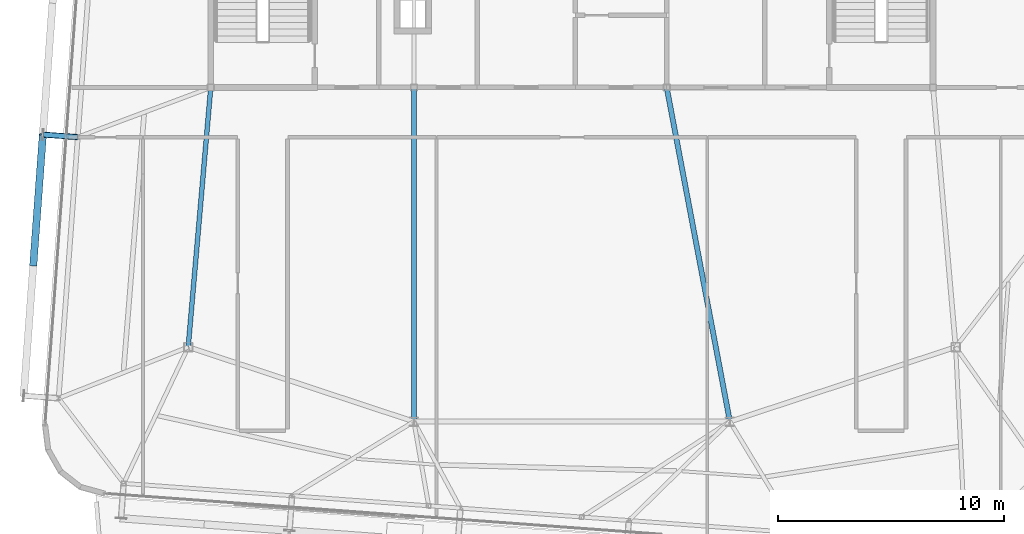
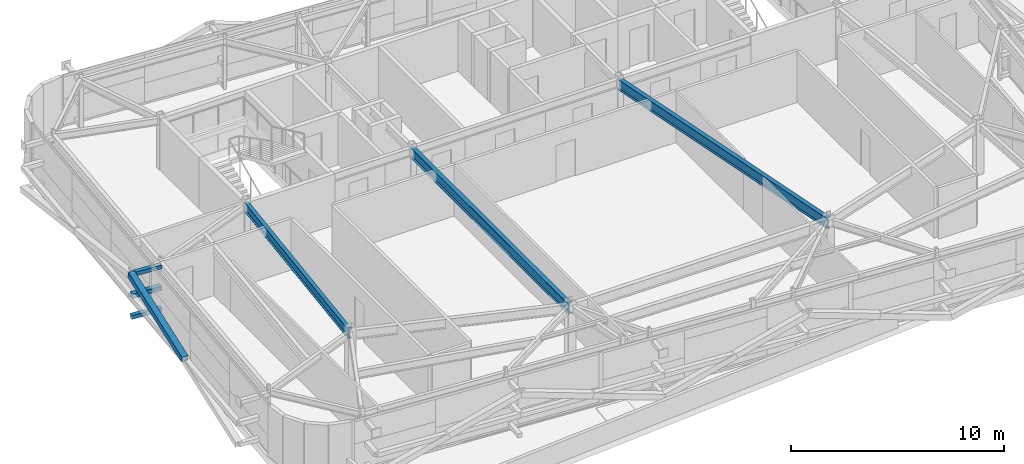
# One storey, part 13 of 37: 4 members, 3 beams.
"""IFC4 building model written with IfcOpenShell, lengths in metres."""

from ifc_helpers import new_model, si_unit, direction, frame, origin, origin_2d, place, context, subcontext, project, spatial, hollow_rectangle, i_section, extrude, source, transform, mapped, material, material_profile, profile_set, type_object, element, save


model = new_model("IFC4")

# Units and contexts
model_context = context("Model", 3, precision=1e-05, world=origin(), true_north=direction((0.0, 1.0)))
body_context = subcontext(model_context, "Body", "Model", "MODEL_VIEW")
ifc_project = project(units=[si_unit("LENGTHUNIT", "METRE"), si_unit("AREAUNIT", "SQUARE_METRE"), si_unit("VOLUMEUNIT", "CUBIC_METRE"), si_unit("PLANEANGLEUNIT", "RADIAN"), si_unit("MASSUNIT", "GRAM", prefix="KILO")], contexts=[model_context])

# Site, building, storey
site_placement = place(None, origin())
site = spatial("IfcSite", under=ifc_project, at=site_placement, CompositionType="ELEMENT")
building_placement = place(site_placement, origin())
building = spatial("IfcBuilding", under=site, at=building_placement, Name="Taldren Reach Tower", CompositionType="ELEMENT")
storey_placement = place(building_placement, frame((0.0, 0.0, 211.39990234375)))
storey = spatial("IfcBuildingStorey", under=building, at=storey_placement, Name="L64", CompositionType="ELEMENT", Elevation=211.39990234375)

# Beams
ifc_material_1 = material(Name="Steel Gr 350 (350PLUS)", Category="steel")
ifc_material_profile_1 = material_profile(ifc_material_1, i_section(OverallWidth=0.208984375, OverallDepth=0.532958984375, WebThickness=0.01025390625, FlangeThickness=0.015625, at=origin_2d()), Name="530UB92.4")
ifc_profile_set_1 = profile_set([ifc_material_profile_1], Name="Steel Gr 350 (350PLUS)")
beam_type_1 = type_object("IfcBeamType", Name="BM-UB530A", PredefinedType="BEAM", material=ifc_profile_set_1)
shared_shape_1 = source(origin(), body_context, "Body", "SweptSolid", [
    extrude(i_section(OverallWidth=0.208984375, OverallDepth=0.532958984375, WebThickness=0.01025390625, FlangeThickness=0.015625, at=origin_2d()), origin(), (0.0, 0.0, 1.0), 11.54345703125),
])
beam_1_placement = place(storey_placement, frame((19.0, 24.0, 2.66357421875), z_axis=(-0.086629616365, -0.996240588196, 0.0), x_axis=(0.996240588196, -0.086629616365, 0.0)))
element("IfcBeam", 1, at=beam_1_placement, inside=storey, type_object=beam_type_1, Name="Core-spine girder L64-SP09", PredefinedType="BEAM", context=body_context, shape_type="MappedRepresentation", body=[
    mapped(shared_shape_1, transform((0.0, 0.0, 0.0), scale=1.0)),
])
ifc_material_profile_2 = material_profile(ifc_material_1, i_section(OverallWidth=0.22802734375, OverallDepth=0.60205078125, WebThickness=0.010498046875, FlangeThickness=0.014892578125, at=origin_2d()), Name="610UB101")
ifc_profile_set_2 = profile_set([ifc_material_profile_2], Name="Steel Gr 350 (350PLUS)")
beam_type_2 = type_object("IfcBeamType", Name="BM-UB610B", PredefinedType="BEAM", material=ifc_profile_set_2)
shared_shape_2 = source(origin(), body_context, "Body", "SweptSolid", [
    extrude(i_section(OverallWidth=0.22802734375, OverallDepth=0.60205078125, WebThickness=0.010498046875, FlangeThickness=0.014892578125, at=origin_2d()), origin(), (0.0, 0.0, 1.0), 14.800048828125),
])
beam_2_placement = place(storey_placement, frame((28.0, 24.0, 2.629150390625), z_axis=(0.0, -1.0, 0.0), x_axis=(1.0, 0.0, 0.0)))
element("IfcBeam", 2, at=beam_2_placement, inside=storey, type_object=beam_type_2, Name="Core-spine girder L64-SP14", PredefinedType="BEAM", context=body_context, shape_type="MappedRepresentation", body=[
    mapped(shared_shape_2, transform((0.0, 0.0, 0.0), scale=1.0)),
])
shared_shape_3 = source(origin(), body_context, "Body", "SweptSolid", [
    extrude(i_section(OverallWidth=0.22802734375, OverallDepth=0.60205078125, WebThickness=0.010498046875, FlangeThickness=0.014892578125, at=origin_2d()), origin(), (0.0, 0.0, 1.0), 15.0625),
])
beam_3_placement = place(storey_placement, frame((39.199951171875, 24.0, 2.629150390625), z_axis=(0.185894205668, -0.982569765614, 0.0), x_axis=(0.982569765614, 0.185894205668, 0.0)))
element("IfcBeam", 3, at=beam_3_placement, inside=storey, type_object=beam_type_2, Name="Core-spine girder L64-SP15", PredefinedType="BEAM", context=body_context, shape_type="MappedRepresentation", body=[
    mapped(shared_shape_3, transform((0.0, 0.0, 0.0), scale=1.0)),
])

# Members
ifc_material_2 = material(Name="Steel Gr 450 (C450L0)", Category="steel")
ifc_material_profile_3 = material_profile(ifc_material_2, hollow_rectangle(XDim=0.219970703125, YDim=0.219970703125, WallThickness=0.00830078125, at=origin_2d()), Name="220x220x8.2SHS")
ifc_profile_set_3 = profile_set([ifc_material_profile_3], Name="Steel Gr 450 (C450L0)")
member_type_1 = type_object("IfcMemberType", Name="MB-TIE219", PredefinedType="STRUT", material=ifc_profile_set_3)
shared_shape_4 = source(origin(), body_context, "Body", "SweptSolid", [
    extrude(hollow_rectangle(XDim=0.219970703125, YDim=0.219970703125, WallThickness=0.00830078125, at=origin_2d()), origin(), (0.0, 0.0, 1.0), 1.546142578125),
])
for number, where, z_axis, x_axis, name in (
    (4, (13.104736328125, 21.800537109375, 2.650146484375), (-0.997312378271, 0.073266773831, 0.0), (-0.073266773831, -0.997312378271, 0.0), "Exoskeleton diaphragm tie strut B5-W2 L64"),
    (5, (13.104736328125, 21.800537109375, 0.22021484375), (-0.997312378271, 0.073266773831, 0.0), (-0.073266773831, -0.997312378271, 0.0), "Exoskeleton base diaphragm tie strut B5-W2 L64"),
):
    element("IfcMember", number, at=place(storey_placement, frame(where, z_axis=z_axis, x_axis=x_axis)), inside=storey, type_object=member_type_1, Name=name, PredefinedType="STRUT", context=body_context, shape_type="MappedRepresentation", body=[
        mapped(shared_shape_4, transform((0.0, 0.0, 0.0), scale=1.0)),
    ])
ifc_material_profile_4 = material_profile(ifc_material_2, hollow_rectangle(XDim=0.324951171875, YDim=0.324951171875, WallThickness=0.0126953125, at=origin_2d()), Name="325x325x12.7SHS")
ifc_profile_set_4 = profile_set([ifc_material_profile_4], Name="Steel Gr 450 (C450L0)")
member_type_2 = type_object("IfcMemberType", Name="MB-BR324", PredefinedType="BRACE", material=ifc_profile_set_4)
shared_shape_5 = source(origin(), body_context, "Body", "SweptSolid", [
    extrude(hollow_rectangle(XDim=0.324951171875, YDim=0.324951171875, WallThickness=0.0126953125, at=origin_2d()), origin(), (0.0, 0.0, 1.0), 5.926025390625),
])
member_1_placement = place(storey_placement, frame((11.137939453125, 16.12939453125, 1.43505859375), z_axis=(0.071685935393, 0.976123486939, 0.205046494513), x_axis=(-0.997314185625, 0.073242167855, 0.0)))
element("IfcMember", 6, at=member_1_placement, inside=storey, type_object=member_type_2, Name="Exoskeleton Diagrid Brace B5-W1 L64", PredefinedType="BRACE", context=body_context, shape_type="MappedRepresentation", body=[
    mapped(shared_shape_5, transform((0.0, 0.0, 0.0), scale=1.0)),
])
ifc_material_3 = material(Name="Steel Gr 350 (C350L0)", Category="steel")
ifc_material_profile_5 = material_profile(ifc_material_3, hollow_rectangle(XDim=0.25, YDim=0.25, WallThickness=0.010009765625, at=origin_2d()), Name="250x250x10.0SHS")
ifc_profile_set_5 = profile_set([ifc_material_profile_5], Name="Steel Gr 350 (C350L0)")
member_type_3 = type_object("IfcMemberType", Name="MB-POST250", PredefinedType="POST", material=ifc_profile_set_5)
shared_shape_6 = source(origin(), body_context, "Body", "SweptSolid", [
    extrude(hollow_rectangle(XDim=0.25, YDim=0.25, WallThickness=0.010009765625, at=origin_2d()), origin(), (0.0, 0.0, 1.0), 1.546142578125),
])
member_2_placement = place(storey_placement, frame((13.104736328125, 21.800537109375, 1.43505859375), z_axis=(-0.997312378271, 0.073266773831, 0.0), x_axis=(-0.073266773831, -0.997312378271, 0.0)))
element("IfcMember", 7, at=member_2_placement, inside=storey, type_object=member_type_3, Name="Exoskeleton mid-tier diaphragm tie B5-W2 L64", PredefinedType="POST", context=body_context, shape_type="MappedRepresentation", body=[
    mapped(shared_shape_6, transform((0.0, 0.0, 0.0), scale=1.0)),
])

save(model, "model.ifc")
